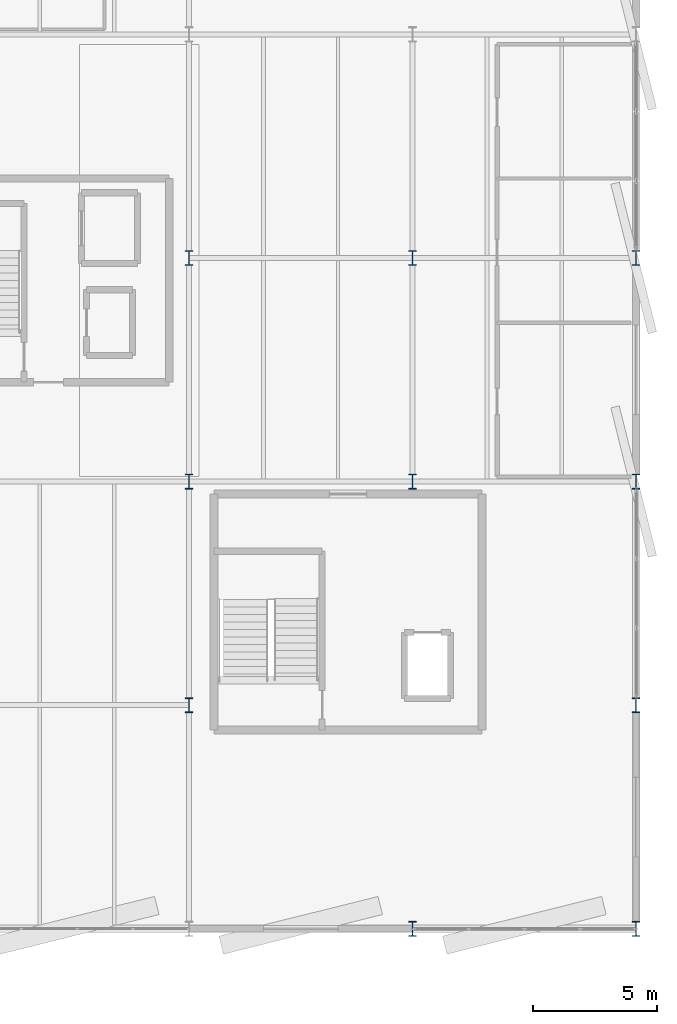
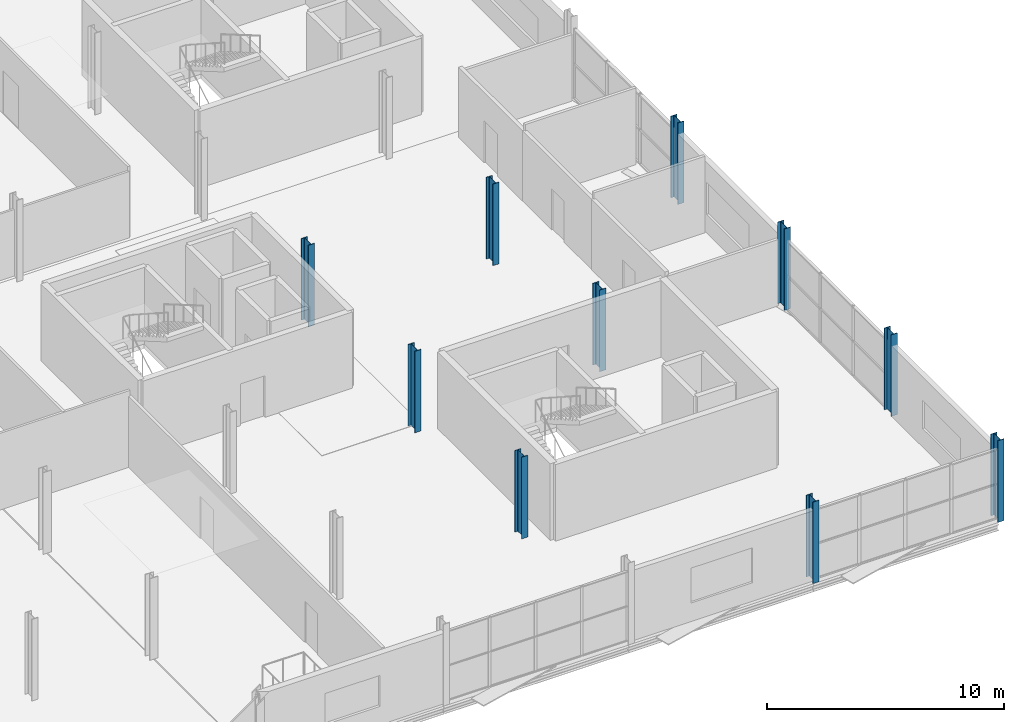
# One storey, part 16 of 135: 10 columns.
"""IFC4 building model written with IfcOpenShell, lengths in metres."""

from ifc_helpers import new_model, si_unit, direction, frame, origin, origin_2d, place, context, subcontext, project, spatial, i_section, extrude, material, material_profile, profile_set, type_object, element, save


model = new_model("IFC4")

# Units and contexts
model_context = context("Model", 3, precision=1e-05, world=origin(), true_north=direction((0.0, 1.0)))
body_context = subcontext(model_context, "Body", "Model", "MODEL_VIEW")
ifc_project = project(units=[si_unit("LENGTHUNIT", "METRE"), si_unit("AREAUNIT", "SQUARE_METRE"), si_unit("VOLUMEUNIT", "CUBIC_METRE"), si_unit("PLANEANGLEUNIT", "RADIAN"), si_unit("MASSUNIT", "GRAM", prefix="KILO")], contexts=[model_context])

# Site, building, storey
site_placement = place(None, origin())
site = spatial("IfcSite", under=ifc_project, at=site_placement, CompositionType="ELEMENT")
building_placement = place(site_placement, origin())
building = spatial("IfcBuilding", under=site, at=building_placement, Name="Deido Ridge Mobility Hub", CompositionType="ELEMENT")
storey_placement = place(building_placement, frame((0.0, 0.0, 4.199951171875)))
storey = spatial("IfcBuildingStorey", under=building, at=storey_placement, Name="L01", CompositionType="ELEMENT", Elevation=4.199951171875)

# Columns
ifc_material = material(Name="Steel S355J2 EN 10025-2", Category="steel")
ifc_material_profile = material_profile(ifc_material, i_section(OverallWidth=0.300048828125, OverallDepth=0.60009765625, WebThickness=0.015380859375, FlangeThickness=0.030029296875, FilletRadius=0.027099609375, at=origin_2d()), Name="HEB 600")
ifc_profile_set = profile_set([ifc_material_profile], Name="Steel S355J2 EN 10025-2")
column_type = type_object("IfcColumnType", Name="COL-HEB600", PredefinedType="COLUMN", material=ifc_profile_set)
for number, where, z_axis, x_axis, name in (
    (1, (171.0, 0.0, 0.0), (0.0, 0.0, 1.0), (1.0, 0.0, 0.0), "Structural column C4"),
    (2, (180.0, 0.0, 0.0), (0.0, 0.0, 1.0), (1.0, 0.0, 0.0), "Structural column C4"),
    (3, (162.0, 9.0, 0.0), (0.0, 0.0, 1.0), (1.0, 0.0, 0.0), "Structural column C4"),
    (4, (180.0, 9.0, 0.0), (0.0, 0.0, 1.0), (1.0, 0.0, 0.0), "Structural column C4"),
    (5, (162.0, 18.0, 0.0), (0.0, 0.0, 1.0), (1.0, 0.0, 0.0), "Structural column C4"),
    (6, (171.0, 18.0, 0.0), (0.0, 0.0, 1.0), (1.0, 0.0, 0.0), "Structural column C4"),
    (7, (180.0, 18.0, 0.0), (0.0, 0.0, 1.0), (1.0, 0.0, 0.0), "Structural column C4"),
    (8, (162.0, 27.0, 0.0), (0.0, 0.0, 1.0), (1.0, 0.0, 0.0), "Structural column C4"),
    (9, (171.0, 27.0, 0.0), (0.0, 0.0, 1.0), (1.0, 0.0, 0.0), "Structural column C4"),
    (10, (180.0, 27.0, 0.0), (0.0, 0.0, 1.0), (1.0, 0.0, 0.0), "Structural column C4"),
):
    element("IfcColumn", number, at=place(storey_placement, frame(where, z_axis=z_axis, x_axis=x_axis)), inside=storey, type_object=column_type, Name=name, PredefinedType="COLUMN", context=body_context, shape_type="SweptSolid", body=[
        extrude(i_section(OverallWidth=0.300048828125, OverallDepth=0.60009765625, WebThickness=0.015380859375, FlangeThickness=0.030029296875, FilletRadius=0.027099609375, at=origin_2d()), origin(), (0.0, 0.0, 1.0), 4.199951171875),
    ])

save(model, "model.ifc")
